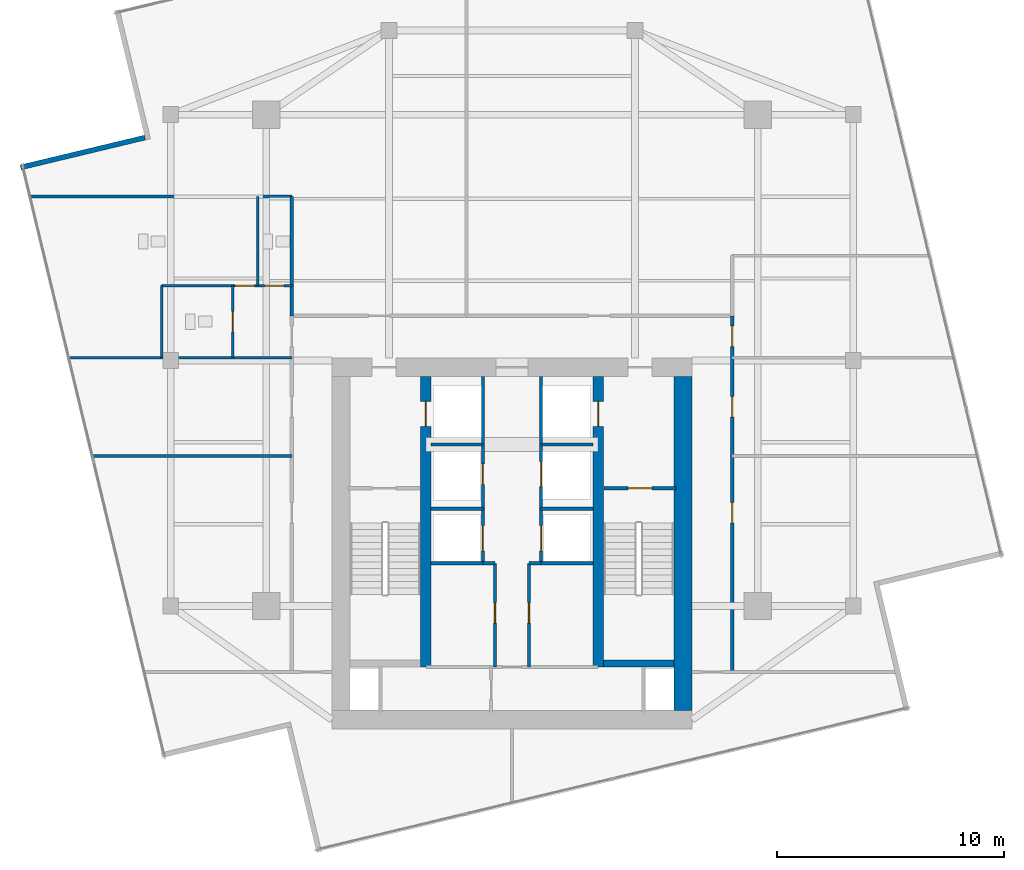
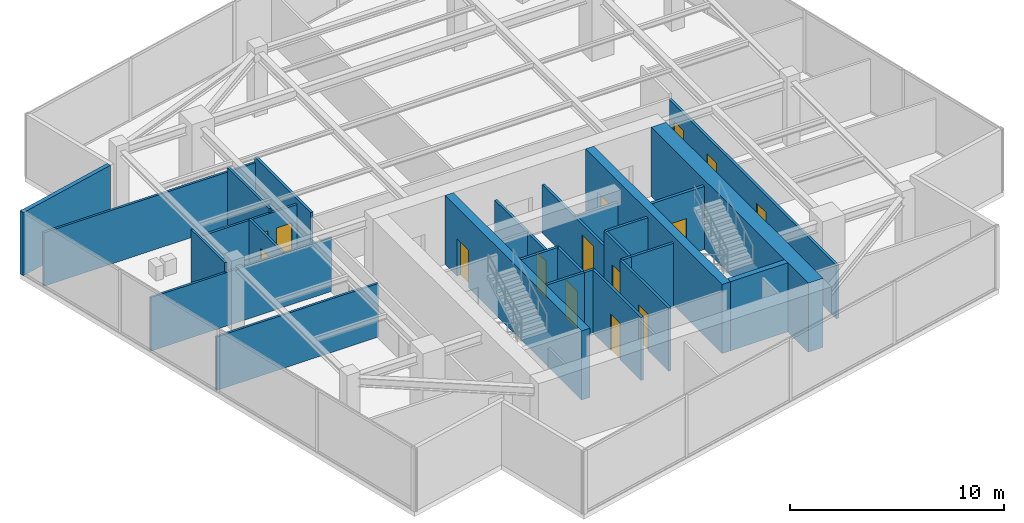
# One storey, part 19 of 22: 29 walls, 15 doors, 15 openings.
"""IFC4 building model written with IfcOpenShell, lengths in metres."""

from ifc_helpers import new_model, si_unit, direction, frame, frame_2d, origin, place, context, subcontext, project, spatial, rectangle, extrude, material, layer, layer_set, type_object, element, fill, save


model = new_model("IFC4")

# Units and contexts
model_context = context("Model", 3, precision=1e-05, world=origin(), true_north=direction((0.0, 1.0)))
body_context = subcontext(model_context, "Body", "Model", "MODEL_VIEW")
ifc_project = project(units=[si_unit("LENGTHUNIT", "METRE"), si_unit("AREAUNIT", "SQUARE_METRE"), si_unit("VOLUMEUNIT", "CUBIC_METRE"), si_unit("PLANEANGLEUNIT", "RADIAN"), si_unit("MASSUNIT", "GRAM", prefix="KILO")], contexts=[model_context])

# Site, building, storey
site_placement = place(None, origin())
site = spatial("IfcSite", under=ifc_project, at=site_placement, CompositionType="ELEMENT")
building_placement = place(site_placement, origin())
building = spatial("IfcBuilding", under=site, at=building_placement, Name="Krantzveldt Concourse Tower", CompositionType="ELEMENT")
storey_placement = place(building_placement, frame((0.0, 0.0, 359.300048828125)))
storey = spatial("IfcBuildingStorey", under=building, at=storey_placement, Name="L88", CompositionType="ELEMENT", Elevation=359.300048828125)

# Walls
ifc_material_1 = material(Name="Anodised aluminium 6063-T6", Category="aluminium")
ifc_layer_1 = layer(ifc_material_1, 0.219970703125, Name="Anodised aluminium 6063-T6", Category="aluminium")
ifc_layer_set_1 = layer_set([ifc_layer_1], Name="Anodised aluminium 6063-T6 (WL-EXT-NOTCH220)")
wall_type_1 = type_object("IfcWallType", Name="WL-EXT-NOTCH220", PredefinedType="ELEMENTEDWALL", material=ifc_layer_set_1)
wall_1_placement = place(storey_placement, frame((19.86767578125, 36.49462890625, 0.0), z_axis=(0.0, 0.0, 1.0), x_axis=(-0.972364840687, -0.233466521361, 0.0)))
element("IfcWall", 1, at=wall_1_placement, inside=storey, type_object=wall_type_1, Name="EW-L88-NCH03", PredefinedType="ELEMENTEDWALL", context=body_context, shape_type="SweptSolid", body=[
    extrude(rectangle(XDim=5.625, YDim=0.219970703125, at=frame_2d((2.8125, 0.0))), origin(), (0.0, 0.0, 1.0), 3.599853515625),
])
ifc_material_2 = material(Name="Fire-rated gypsum plasterboard on steel stud", Category="steel")
ifc_layer_2 = layer(ifc_material_2, 0.1201171875, Name="Fire-rated gypsum plasterboard on steel stud", Category="steel")
ifc_layer_set_2 = layer_set([ifc_layer_2], Name="Fire-rated gypsum plasterboard on steel stud (WL-PART-120)")
wall_type_2 = type_object("IfcWallType", Name="WL-PART-120", PredefinedType="PARTITIONING", material=ifc_layer_set_2)
wall_2_placement = place(storey_placement, frame((16.52392578125, 26.820068359375, 0.0), z_axis=(0.0, 0.0, 1.0), x_axis=(1.0, 0.0, 0.0)))
element("IfcWall", 2, at=wall_2_placement, inside=storey, type_object=wall_type_2, Name="WP-L88-WCBS", PredefinedType="PARTITIONING", context=body_context, shape_type="SweptSolid", body=[
    extrude(rectangle(XDim=9.796142578125, YDim=0.1201171875, at=frame_2d((4.89794921875, 0.0))), origin(), (0.0, 0.0, 1.0), 3.06005859375),
])
wall_3_placement = place(storey_placement, frame((14.82421875, 33.89990234375, 0.0), z_axis=(0.0, 0.0, 1.0), x_axis=(1.0, 0.0, 0.0)))
element("IfcWall", 3, at=wall_3_placement, inside=storey, type_object=wall_type_2, Name="WP-L88-WCBN", PredefinedType="PARTITIONING", context=body_context, shape_type="SweptSolid", body=[
    extrude(rectangle(XDim=11.495849609375, YDim=0.1201171875, at=frame_2d((5.748046875, 0.0))), origin(), (0.0, 0.0, 1.0), 3.06005859375),
])

# Wall, openings, doors
wall_4_placement = place(storey_placement, frame((20.60009765625, 29.97998046875, 0.0), z_axis=(0.0, 0.0, 1.0), x_axis=(1.0, 0.0, 0.0)))
wall_4 = element("IfcWall", 4, at=wall_4_placement, inside=storey, type_object=wall_type_2, Name="WP-L88-WCMH", PredefinedType="PARTITIONING", context=body_context, shape_type="SweptSolid", body=[
    extrude(rectangle(XDim=5.719970703125, YDim=0.1201171875, at=frame_2d((2.85986328125, 0.0))), origin(), (0.0, 0.0, 1.0), 3.06005859375),
])
opening_1_placement = place(wall_4_placement, frame((3.22509765625, 0.0, 0.0)))
opening_1 = element("IfcOpeningElement", 5, at=opening_1_placement, cuts=wall_4, Name="Opening D-IN085", PredefinedType="OPENING", context=body_context, shape_type="SweptSolid", body=[
    extrude(rectangle(XDim=0.85009765625, YDim=2.10009765625, at=frame_2d((0.425048828125, 1.050048828125))), frame((0.0, 0.070068359375, 0.0), z_axis=(0.0, -1.0, 0.0), x_axis=(1.0, 0.0, 0.0)), (0.0, 0.0, 1.0), 0.14013671875),
])
opening_2_placement = place(wall_4_placement, frame((4.52490234375, 0.0, 0.0)))
opening_2 = element("IfcOpeningElement", 6, at=opening_2_placement, cuts=wall_4, Name="Opening D-IN085", PredefinedType="OPENING", context=body_context, shape_type="SweptSolid", body=[
    extrude(rectangle(XDim=0.85009765625, YDim=2.10009765625, at=frame_2d((0.425048828125, 1.050048828125))), frame((0.0, 0.070068359375, 0.0), z_axis=(0.0, -1.0, 0.0), x_axis=(1.0, 0.0, 0.0)), (0.0, 0.0, 1.0), 0.14013671875),
])
ifc_material_3 = material(Name="Hardwood timber", Category="wood")
door_type_1 = type_object("IfcDoorType", Name="DR-INT-850", OperationType="SINGLE_SWING_LEFT", PredefinedType="DOOR", material=ifc_material_3)
door_1_placement = place(opening_1_placement, origin())
door_1 = element("IfcDoor", 7, at=door_1_placement, inside=storey, type_object=door_type_1, Name="DR-L88-WCM", OperationType="SINGLE_SWING_LEFT", OverallHeight=2.10009765625, OverallWidth=0.85009765625, PredefinedType="DOOR", context=body_context, shape_type="SweptSolid", body=[
    extrude(rectangle(XDim=0.85009765625, YDim=2.10009765625, at=frame_2d((0.425048828125, 1.050048828125))), frame((0.0, 0.02490234375, 0.0), z_axis=(0.0, -1.0, 0.0), x_axis=(1.0, 0.0, 0.0)), (0.0, 0.0, 1.0), 0.050048828125),
])
fill(opening_1, door_1)
door_2_placement = place(opening_2_placement, origin())
door_2 = element("IfcDoor", 8, at=door_2_placement, inside=storey, type_object=door_type_1, Name="DR-L88-WCF", OperationType="SINGLE_SWING_RIGHT", OverallHeight=2.10009765625, OverallWidth=0.85009765625, PredefinedType="DOOR", context=body_context, shape_type="SweptSolid", body=[
    extrude(rectangle(XDim=0.85009765625, YDim=2.10009765625, at=frame_2d((0.425048828125, 1.050048828125))), frame((0.0, 0.02490234375, 0.0), z_axis=(0.0, -1.0, 0.0), x_axis=(1.0, 0.0, 0.0)), (0.0, 0.0, 1.0), 0.050048828125),
])
fill(opening_2, door_2)

# Wall
wall_5_placement = place(storey_placement, frame((20.60009765625, 26.820068359375, 0.0), z_axis=(0.0, 0.0, 1.0), x_axis=(0.0, 1.0, 0.0)))
element("IfcWall", 9, at=wall_5_placement, inside=storey, type_object=wall_type_2, Name="WP-L88-WCAL", PredefinedType="PARTITIONING", context=body_context, shape_type="SweptSolid", body=[
    extrude(rectangle(XDim=3.159912109375, YDim=0.1201171875, at=frame_2d((1.580078125, 0.0))), origin(), (0.0, 0.0, 1.0), 3.599853515625),
])

# Wall, opening, door
wall_6_placement = place(storey_placement, frame((23.719970703125, 26.820068359375, 0.0), z_axis=(0.0, 0.0, 1.0), x_axis=(0.0, 1.0, 0.0)))
wall_6 = element("IfcWall", 10, at=wall_6_placement, inside=storey, type_object=wall_type_2, Name="WP-L88-WCAV", PredefinedType="PARTITIONING", context=body_context, shape_type="SweptSolid", body=[
    extrude(rectangle(XDim=3.159912109375, YDim=0.1201171875, at=frame_2d((1.580078125, 0.0))), origin(), (0.0, 0.0, 1.0), 3.10986328125),
])
opening_3_placement = place(wall_6_placement, frame((1.1298828125, 0.0, 0.0)))
opening_3 = element("IfcOpeningElement", 11, at=opening_3_placement, cuts=wall_6, Name="Opening D-IN090", PredefinedType="OPENING", context=body_context, shape_type="SweptSolid", body=[
    extrude(rectangle(XDim=0.89990234375, YDim=2.10009765625, at=frame_2d((0.449951171875, 1.050048828125))), frame((0.0, 0.070068359375, 0.0), z_axis=(0.0, -1.0, 0.0), x_axis=(1.0, 0.0, 0.0)), (0.0, 0.0, 1.0), 0.14013671875),
])
door_type_2 = type_object("IfcDoorType", Name="DR-INT-900", OperationType="SINGLE_SWING_LEFT", PredefinedType="DOOR", material=ifc_material_3)
door_3_placement = place(opening_3_placement, origin())
door_3 = element("IfcDoor", 12, at=door_3_placement, inside=storey, type_object=door_type_2, Name="DR-L88-WCA", OperationType="SINGLE_SWING_LEFT", OverallHeight=2.10009765625, OverallWidth=0.89990234375, PredefinedType="DOOR", context=body_context, shape_type="SweptSolid", body=[
    extrude(rectangle(XDim=0.89990234375, YDim=2.10009765625, at=frame_2d((0.449951171875, 1.050048828125))), frame((0.0, 0.02490234375, 0.0), z_axis=(0.0, -1.0, 0.0), x_axis=(1.0, 0.0, 0.0)), (0.0, 0.0, 1.0), 0.050048828125),
])
fill(opening_3, door_3)

# Walls
wall_7_placement = place(storey_placement, frame((24.820068359375, 29.97998046875, 0.0), z_axis=(0.0, 0.0, 1.0), x_axis=(0.0, 1.0, 0.0)))
element("IfcWall", 13, at=wall_7_placement, inside=storey, type_object=wall_type_2, Name="WP-L88-WCFD", PredefinedType="PARTITIONING", context=body_context, shape_type="SweptSolid", body=[
    extrude(rectangle(XDim=3.919921875, YDim=0.1201171875, at=frame_2d((1.9599609375, 0.0))), origin(), (0.0, 0.0, 1.0), 3.300048828125),
])
wall_8_placement = place(storey_placement, frame((17.56103515625, 22.5, 0.0), z_axis=(0.0, 0.0, 1.0), x_axis=(1.0, 0.0, 0.0)))
element("IfcWall", 14, at=wall_8_placement, inside=storey, type_object=wall_type_2, Name="WP-L88-WD1", PredefinedType="PARTITIONING", context=body_context, shape_type="SweptSolid", body=[
    extrude(rectangle(XDim=8.759033203125, YDim=0.1201171875, at=frame_2d((4.37939453125, 0.0))), origin(), (0.0, 0.0, 1.0), 3.06005859375),
])

# Wall, openings, doors
ifc_layer_3 = layer(ifc_material_2, 0.139892578125, Name="Fire-rated gypsum plasterboard on steel stud", Category="steel")
ifc_layer_set_3 = layer_set([ifc_layer_3], Name="Fire-rated gypsum plasterboard on steel stud (WL-PART-140)")
wall_type_3 = type_object("IfcWallType", Name="WL-PART-140", PredefinedType="PARTITIONING", material=ifc_layer_set_3)
wall_9_placement = place(storey_placement, frame((45.679931640625, 13.0, 0.0), z_axis=(0.0, 0.0, 1.0), x_axis=(0.0, 1.0, 0.0)))
wall_9 = element("IfcWall", 15, at=wall_9_placement, inside=storey, type_object=wall_type_3, Name="WP-L88-CEAST", PredefinedType="PARTITIONING", context=body_context, shape_type="SweptSolid", body=[
    extrude(rectangle(XDim=15.659912109375, YDim=0.139892578125, at=frame_2d((7.830078125, 0.0))), origin(), (0.0, 0.0, 1.0), 3.06005859375),
])
opening_4_placement = place(wall_9_placement, frame((14.300048828125, 0.0, 0.0)))
opening_4 = element("IfcOpeningElement", 16, at=opening_4_placement, cuts=wall_9, Name="Opening D-IN090", PredefinedType="OPENING", context=body_context, shape_type="SweptSolid", body=[
    extrude(rectangle(XDim=0.89990234375, YDim=2.10009765625, at=frame_2d((0.449951171875, 1.050048828125))), frame((0.0, 0.080078125, 0.0), z_axis=(0.0, -1.0, 0.0), x_axis=(1.0, 0.0, 0.0)), (0.0, 0.0, 1.0), 0.159912109375),
])
opening_5_placement = place(wall_9_placement, frame((6.550048828125, 0.0, 0.0)))
opening_5 = element("IfcOpeningElement", 17, at=opening_5_placement, cuts=wall_9, Name="Opening D-IN090", PredefinedType="OPENING", context=body_context, shape_type="SweptSolid", body=[
    extrude(rectangle(XDim=0.89990234375, YDim=2.10009765625, at=frame_2d((0.449951171875, 1.050048828125))), frame((0.0, 0.080078125, 0.0), z_axis=(0.0, -1.0, 0.0), x_axis=(1.0, 0.0, 0.0)), (0.0, 0.0, 1.0), 0.159912109375),
])
opening_6_placement = place(wall_9_placement, frame((11.2099609375, 0.0, 0.0)))
opening_6 = element("IfcOpeningElement", 18, at=opening_6_placement, cuts=wall_9, Name="Opening D-IN090", PredefinedType="OPENING", context=body_context, shape_type="SweptSolid", body=[
    extrude(rectangle(XDim=0.89990234375, YDim=2.10009765625, at=frame_2d((0.449951171875, 1.050048828125))), frame((0.0, 0.080078125, 0.0), z_axis=(0.0, -1.0, 0.0), x_axis=(1.0, 0.0, 0.0)), (0.0, 0.0, 1.0), 0.159912109375),
])
door_4_placement = place(opening_4_placement, origin())
door_4 = element("IfcDoor", 19, at=door_4_placement, inside=storey, type_object=door_type_2, Name="DR-L88-PNT", OperationType="SINGLE_SWING_RIGHT", OverallHeight=2.10009765625, OverallWidth=0.89990234375, PredefinedType="DOOR", context=body_context, shape_type="SweptSolid", body=[
    extrude(rectangle(XDim=0.89990234375, YDim=2.10009765625, at=frame_2d((0.449951171875, 1.050048828125))), frame((0.0, 0.02490234375, 0.0), z_axis=(0.0, -1.0, 0.0), x_axis=(1.0, 0.0, 0.0)), (0.0, 0.0, 1.0), 0.050048828125),
])
fill(opening_4, door_4)
door_5_placement = place(opening_5_placement, origin())
door_5 = element("IfcDoor", 20, at=door_5_placement, inside=storey, type_object=door_type_2, Name="DR-L88-ER1", OperationType="SINGLE_SWING_LEFT", OverallHeight=2.10009765625, OverallWidth=0.89990234375, PredefinedType="DOOR", context=body_context, shape_type="SweptSolid", body=[
    extrude(rectangle(XDim=0.89990234375, YDim=2.10009765625, at=frame_2d((0.449951171875, 1.050048828125))), frame((0.0, 0.02490234375, 0.0), z_axis=(0.0, -1.0, 0.0), x_axis=(1.0, 0.0, 0.0)), (0.0, 0.0, 1.0), 0.050048828125),
])
fill(opening_5, door_5)
door_6_placement = place(opening_6_placement, origin())
door_6 = element("IfcDoor", 21, at=door_6_placement, inside=storey, type_object=door_type_2, Name="DR-L88-ER2", OperationType="SINGLE_SWING_LEFT", OverallHeight=2.10009765625, OverallWidth=0.89990234375, PredefinedType="DOOR", context=body_context, shape_type="SweptSolid", body=[
    extrude(rectangle(XDim=0.89990234375, YDim=2.10009765625, at=frame_2d((0.449951171875, 1.050048828125))), frame((0.0, 0.02490234375, 0.0), z_axis=(0.0, -1.0, 0.0), x_axis=(1.0, 0.0, 0.0)), (0.0, 0.0, 1.0), 0.050048828125),
])
fill(opening_6, door_6)

# Wall
wall_10_placement = place(storey_placement, frame((26.320068359375, 28.659912109375, 0.0), z_axis=(0.0, 0.0, 1.0), x_axis=(0.0, 1.0, 0.0)))
element("IfcWall", 22, at=wall_10_placement, inside=storey, type_object=wall_type_3, Name="WP-L88-NWL", PredefinedType="PARTITIONING", context=body_context, shape_type="SweptSolid", body=[
    extrude(rectangle(XDim=5.239990234375, YDim=0.139892578125, at=frame_2d((2.6201171875, 0.0))), origin(), (0.0, 0.0, 1.0), 3.35986328125),
])

# Wall, opening, door
ifc_layer_4 = layer(ifc_material_2, 0.139892578125, Name="Fire-rated gypsum plasterboard on steel stud", Category="steel")
ifc_layer_set_4 = layer_set([ifc_layer_4], Name="Fire-rated gypsum plasterboard on steel stud (WL-PART-FR140)")
wall_type_4 = type_object("IfcWallType", Name="WL-PART-FR140", PredefinedType="PARTITIONING", material=ifc_layer_set_4)
wall_11_placement = place(storey_placement, frame((34.719970703125, 20.199951171875, 0.0), z_axis=(0.0, 0.0, 1.0), x_axis=(0.0, 1.0, 0.0)))
wall_11 = element("IfcWall", 23, at=wall_11_placement, inside=storey, type_object=wall_type_4, Name="WP-L88-SHNW", PredefinedType="PARTITIONING", context=body_context, shape_type="SweptSolid", body=[
    extrude(rectangle(XDim=5.780029296875, YDim=0.139892578125, at=frame_2d((2.89013671875, 0.0))), origin(), (0.0, 0.0, 1.0), 2.75),
])
opening_7_placement = place(wall_11_placement, frame((1.050048828125, 0.0, 0.0)))
opening_7 = element("IfcOpeningElement", 24, at=opening_7_placement, cuts=wall_11, Name="Opening D-FD090", PredefinedType="OPENING", context=body_context, shape_type="SweptSolid", body=[
    extrude(rectangle(XDim=0.89990234375, YDim=2.10009765625, at=frame_2d((0.449951171875, 1.050048828125))), frame((0.0, 0.080078125, 0.0), z_axis=(0.0, -1.0, 0.0), x_axis=(1.0, 0.0, 0.0)), (0.0, 0.0, 1.0), 0.159912109375),
])
door_type_3 = type_object("IfcDoorType", Name="DR-FD60-900", OperationType="SINGLE_SWING_LEFT", PredefinedType="DOOR", material=ifc_material_3)
door_7_placement = place(opening_7_placement, origin())
door_7 = element("IfcDoor", 25, at=door_7_placement, inside=storey, type_object=door_type_3, Name="Electrical Riser Access Door L88", OperationType="SINGLE_SWING_LEFT", OverallHeight=2.10009765625, OverallWidth=0.89990234375, PredefinedType="DOOR", context=body_context, shape_type="SweptSolid", body=[
    extrude(rectangle(XDim=0.89990234375, YDim=2.10009765625, at=frame_2d((0.449951171875, 1.050048828125))), frame((0.0, 0.02490234375, 0.0), z_axis=(0.0, -1.0, 0.0), x_axis=(1.0, 0.0, 0.0)), (0.0, 0.0, 1.0), 0.050048828125),
])
fill(opening_7, door_7)

wall_12_placement = place(storey_placement, frame((37.280029296875, 20.199951171875, 0.0), z_axis=(0.0, 0.0, 1.0), x_axis=(0.0, 1.0, 0.0)))
wall_12 = element("IfcWall", 26, at=wall_12_placement, inside=storey, type_object=wall_type_4, Name="WP-L88-SHNE", PredefinedType="PARTITIONING", context=body_context, shape_type="SweptSolid", body=[
    extrude(rectangle(XDim=5.780029296875, YDim=0.139892578125, at=frame_2d((2.89013671875, 0.0))), origin(), (0.0, 0.0, 1.0), 2.75),
])
opening_8_placement = place(wall_12_placement, frame((0.949951171875, 0.0, 0.0)))
opening_8 = element("IfcOpeningElement", 27, at=opening_8_placement, cuts=wall_12, Name="Opening LD", PredefinedType="OPENING", context=body_context, shape_type="SweptSolid", body=[
    extrude(rectangle(XDim=1.10009765625, YDim=2.14990234375, at=frame_2d((0.550048828125, 1.074951171875))), frame((0.0, 0.080078125, 0.0), z_axis=(0.0, -1.0, 0.0), x_axis=(1.0, 0.0, 0.0)), (0.0, 0.0, 1.0), 0.159912109375),
])
ifc_material_4 = material(Name="Stainless steel 316L", Category="steel")
door_type_4 = type_object("IfcDoorType", Name="DR-SLIDE-LD1100", OperationType="DOUBLE_DOOR_SLIDING", PredefinedType="DOOR", material=ifc_material_4)
door_8_placement = place(opening_8_placement, origin())
door_8 = element("IfcDoor", 28, at=door_8_placement, inside=storey, type_object=door_type_4, Name="LD-L88-GL1", OperationType="DOUBLE_DOOR_SLIDING", OverallHeight=2.14990234375, OverallWidth=1.10009765625, PredefinedType="DOOR", context=body_context, shape_type="SweptSolid", body=[
    extrude(rectangle(XDim=1.10009765625, YDim=2.14990234375, at=frame_2d((0.550048828125, 1.074951171875))), frame((0.0, 0.02490234375, 0.0), z_axis=(0.0, -1.0, 0.0), x_axis=(1.0, 0.0, 0.0)), (0.0, 0.0, 1.0), 0.050048828125),
])
fill(opening_8, door_8)

# Walls
for number, where, z_axis, x_axis, name in (
    (29, (32.449951171875, 23.0, 0.0), (0.0, 0.0, 1.0), (1.0, 0.0, 0.0), "WP-L88-RISH"),
    (30, (37.280029296875, 23.0, 0.0), (0.0, 0.0, 1.0), (1.0, 0.0, 0.0), "WP-L88-GLH"),
):
    element("IfcWall", number, at=place(storey_placement, frame(where, z_axis=z_axis, x_axis=x_axis)), inside=storey, type_object=wall_type_4, Name=name, PredefinedType="PARTITIONING", context=body_context, shape_type="SweptSolid", body=[
        extrude(rectangle(XDim=2.27001953125, YDim=0.139892578125, at=frame_2d((1.135009765625, 0.0))), origin(), (0.0, 0.0, 1.0), 2.75),
    ])

# Wall, opening, door
wall_13_placement = place(storey_placement, frame((34.719970703125, 17.780029296875, 0.0), z_axis=(0.0, 0.0, 1.0), x_axis=(0.0, 1.0, 0.0)))
wall_13 = element("IfcWall", 31, at=wall_13_placement, inside=storey, type_object=wall_type_4, Name="WP-L88-SHNW2", PredefinedType="PARTITIONING", context=body_context, shape_type="SweptSolid", body=[
    extrude(rectangle(XDim=2.419921875, YDim=0.139892578125, at=frame_2d((1.2099609375, 0.0))), origin(), (0.0, 0.0, 1.0), 3.599853515625),
])
opening_9_placement = place(wall_13_placement, frame((0.550048828125, 0.0, 0.0)))
opening_9 = element("IfcOpeningElement", 32, at=opening_9_placement, cuts=wall_13, Name="Opening LD", PredefinedType="OPENING", context=body_context, shape_type="SweptSolid", body=[
    extrude(rectangle(XDim=1.10009765625, YDim=2.14990234375, at=frame_2d((0.550048828125, 1.074951171875))), frame((0.0, 0.080078125, 0.0), z_axis=(0.0, -1.0, 0.0), x_axis=(1.0, 0.0, 0.0)), (0.0, 0.0, 1.0), 0.159912109375),
])
door_9_placement = place(opening_9_placement, origin())
door_9 = element("IfcDoor", 33, at=door_9_placement, inside=storey, type_object=door_type_4, Name="LD-L88-PH1", OperationType="DOUBLE_DOOR_SLIDING", OverallHeight=2.14990234375, OverallWidth=1.10009765625, PredefinedType="DOOR", context=body_context, shape_type="SweptSolid", body=[
    extrude(rectangle(XDim=1.10009765625, YDim=2.14990234375, at=frame_2d((0.550048828125, 1.074951171875))), frame((0.0, 0.02490234375, 0.0), z_axis=(0.0, -1.0, 0.0), x_axis=(1.0, 0.0, 0.0)), (0.0, 0.0, 1.0), 0.050048828125),
])
fill(opening_9, door_9)

wall_14_placement = place(storey_placement, frame((37.280029296875, 17.780029296875, 0.0), z_axis=(0.0, 0.0, 1.0), x_axis=(0.0, 1.0, 0.0)))
wall_14 = element("IfcWall", 34, at=wall_14_placement, inside=storey, type_object=wall_type_4, Name="WP-L88-SHNE2", PredefinedType="PARTITIONING", context=body_context, shape_type="SweptSolid", body=[
    extrude(rectangle(XDim=2.419921875, YDim=0.139892578125, at=frame_2d((1.2099609375, 0.0))), origin(), (0.0, 0.0, 1.0), 3.599853515625),
])
opening_10_placement = place(wall_14_placement, frame((0.550048828125, 0.0, 0.0)))
opening_10 = element("IfcOpeningElement", 35, at=opening_10_placement, cuts=wall_14, Name="Opening LD", PredefinedType="OPENING", context=body_context, shape_type="SweptSolid", body=[
    extrude(rectangle(XDim=1.10009765625, YDim=2.14990234375, at=frame_2d((0.550048828125, 1.074951171875))), frame((0.0, 0.080078125, 0.0), z_axis=(0.0, -1.0, 0.0), x_axis=(1.0, 0.0, 0.0)), (0.0, 0.0, 1.0), 0.159912109375),
])
door_10_placement = place(opening_10_placement, origin())
door_10 = element("IfcDoor", 36, at=door_10_placement, inside=storey, type_object=door_type_4, Name="LD-L88-PH2", OperationType="DOUBLE_DOOR_SLIDING", OverallHeight=2.14990234375, OverallWidth=1.10009765625, PredefinedType="DOOR", context=body_context, shape_type="SweptSolid", body=[
    extrude(rectangle(XDim=1.10009765625, YDim=2.14990234375, at=frame_2d((0.550048828125, 1.074951171875))), frame((0.0, 0.02490234375, 0.0), z_axis=(0.0, -1.0, 0.0), x_axis=(1.0, 0.0, 0.0)), (0.0, 0.0, 1.0), 0.050048828125),
])
fill(opening_10, door_10)

# Walls
for number, where, z_axis, x_axis, name in (
    (37, (32.449951171875, 17.780029296875, 0.0), (0.0, 0.0, 1.0), (1.0, 0.0, 0.0), "WP-L88-DIVW2"),
    (38, (32.449951171875, 20.179931640625, 0.0), (0.0, 0.0, 1.0), (1.0, 0.0, 0.0), "WP-L88-DIVW3"),
    (39, (37.280029296875, 17.780029296875, 0.0), (0.0, 0.0, 1.0), (1.0, 0.0, 0.0), "WP-L88-DIVE2"),
    (40, (37.280029296875, 20.179931640625, 0.0), (0.0, 0.0, 1.0), (1.0, 0.0, 0.0), "WP-L88-DIVE3"),
):
    element("IfcWall", number, at=place(storey_placement, frame(where, z_axis=z_axis, x_axis=x_axis)), inside=storey, type_object=wall_type_4, Name=name, PredefinedType="PARTITIONING", context=body_context, shape_type="SweptSolid", body=[
        extrude(rectangle(XDim=2.27001953125, YDim=0.139892578125, at=frame_2d((1.135009765625, 0.0))), origin(), (0.0, 0.0, 1.0), 3.599853515625),
    ])

# Wall, opening, door
wall_15_placement = place(storey_placement, frame((35.25, 13.219970703125, 0.0), z_axis=(0.0, 0.0, 1.0), x_axis=(0.0, 1.0, 0.0)))
wall_15 = element("IfcWall", 41, at=wall_15_placement, inside=storey, type_object=wall_type_4, Name="WP-L88-RECW", PredefinedType="PARTITIONING", context=body_context, shape_type="SweptSolid", body=[
    extrude(rectangle(XDim=4.56005859375, YDim=0.139892578125, at=frame_2d((2.280029296875, 0.0))), origin(), (0.0, 0.0, 1.0), 3.599853515625),
])
opening_11_placement = place(wall_15_placement, frame((1.929931640625, 0.0, 0.0)))
opening_11 = element("IfcOpeningElement", 42, at=opening_11_placement, cuts=wall_15, Name="Opening D-FD090", PredefinedType="OPENING", context=body_context, shape_type="SweptSolid", body=[
    extrude(rectangle(XDim=0.89990234375, YDim=2.10009765625, at=frame_2d((0.449951171875, 1.050048828125))), frame((0.0, 0.080078125, 0.0), z_axis=(0.0, -1.0, 0.0), x_axis=(1.0, 0.0, 0.0)), (0.0, 0.0, 1.0), 0.159912109375),
])
door_11_placement = place(opening_11_placement, origin())
door_11 = element("IfcDoor", 43, at=door_11_placement, inside=storey, type_object=door_type_3, Name="DR-L88-RECW", OperationType="SINGLE_SWING_LEFT", OverallHeight=2.10009765625, OverallWidth=0.89990234375, PredefinedType="DOOR", context=body_context, shape_type="SweptSolid", body=[
    extrude(rectangle(XDim=0.89990234375, YDim=2.10009765625, at=frame_2d((0.449951171875, 1.050048828125))), frame((0.0, 0.02490234375, 0.0), z_axis=(0.0, -1.0, 0.0), x_axis=(1.0, 0.0, 0.0)), (0.0, 0.0, 1.0), 0.050048828125),
])
fill(opening_11, door_11)

# Wall
wall_16_placement = place(storey_placement, frame((34.719970703125, 17.780029296875, 0.0), z_axis=(0.0, 0.0, 1.0), x_axis=(1.0, 0.0, 0.0)))
element("IfcWall", 44, at=wall_16_placement, inside=storey, type_object=wall_type_4, Name="WP-L88-RECWN", PredefinedType="PARTITIONING", context=body_context, shape_type="SweptSolid", body=[
    extrude(rectangle(XDim=0.530029296875, YDim=0.139892578125, at=frame_2d((0.26513671875, 0.0))), origin(), (0.0, 0.0, 1.0), 3.599853515625),
])

# Wall, opening, door
wall_17_placement = place(storey_placement, frame((36.75, 13.219970703125, 0.0), z_axis=(0.0, 0.0, 1.0), x_axis=(0.0, 1.0, 0.0)))
wall_17 = element("IfcWall", 45, at=wall_17_placement, inside=storey, type_object=wall_type_4, Name="WP-L88-RECE", PredefinedType="PARTITIONING", context=body_context, shape_type="SweptSolid", body=[
    extrude(rectangle(XDim=4.56005859375, YDim=0.139892578125, at=frame_2d((2.280029296875, 0.0))), origin(), (0.0, 0.0, 1.0), 3.599853515625),
])
opening_12_placement = place(wall_17_placement, frame((1.929931640625, 0.0, 0.0)))
opening_12 = element("IfcOpeningElement", 46, at=opening_12_placement, cuts=wall_17, Name="Opening D-FD090", PredefinedType="OPENING", context=body_context, shape_type="SweptSolid", body=[
    extrude(rectangle(XDim=0.89990234375, YDim=2.10009765625, at=frame_2d((0.449951171875, 1.050048828125))), frame((0.0, 0.080078125, 0.0), z_axis=(0.0, -1.0, 0.0), x_axis=(1.0, 0.0, 0.0)), (0.0, 0.0, 1.0), 0.159912109375),
])
door_12_placement = place(opening_12_placement, origin())
door_12 = element("IfcDoor", 47, at=door_12_placement, inside=storey, type_object=door_type_3, Name="DR-L88-RECE", OperationType="SINGLE_SWING_RIGHT", OverallHeight=2.10009765625, OverallWidth=0.89990234375, PredefinedType="DOOR", context=body_context, shape_type="SweptSolid", body=[
    extrude(rectangle(XDim=0.89990234375, YDim=2.10009765625, at=frame_2d((0.449951171875, 1.050048828125))), frame((0.0, 0.02490234375, 0.0), z_axis=(0.0, -1.0, 0.0), x_axis=(1.0, 0.0, 0.0)), (0.0, 0.0, 1.0), 0.050048828125),
])
fill(opening_12, door_12)

# Wall
wall_18_placement = place(storey_placement, frame((36.75, 17.780029296875, 0.0), z_axis=(0.0, 0.0, 1.0), x_axis=(1.0, 0.0, 0.0)))
element("IfcWall", 48, at=wall_18_placement, inside=storey, type_object=wall_type_4, Name="WP-L88-RECEN", PredefinedType="PARTITIONING", context=body_context, shape_type="SweptSolid", body=[
    extrude(rectangle(XDim=0.530029296875, YDim=0.139892578125, at=frame_2d((0.26513671875, 0.0))), origin(), (0.0, 0.0, 1.0), 3.599853515625),
])

# Wall, opening, door
ifc_layer_5 = layer(ifc_material_2, 0.159912109375, Name="Fire-rated gypsum plasterboard on steel stud", Category="steel")
ifc_layer_set_5 = layer_set([ifc_layer_5], Name="Fire-rated gypsum plasterboard on steel stud (WL-PART-FR160)")
wall_type_5 = type_object("IfcWallType", Name="WL-PART-FR160", PredefinedType="PARTITIONING", material=ifc_layer_set_5)
wall_19_placement = place(storey_placement, frame((40.0400390625, 21.080078125, 0.0), z_axis=(0.0, 0.0, 1.0), x_axis=(1.0, 0.0, 0.0)))
wall_19 = element("IfcWall", 49, at=wall_19_placement, inside=storey, type_object=wall_type_5, Name="WP-L88-ST2", PredefinedType="PARTITIONING", context=body_context, shape_type="SweptSolid", body=[
    extrude(rectangle(XDim=3.159912109375, YDim=0.159912109375, at=frame_2d((1.580078125, 0.0))), origin(), (0.0, 0.0, 1.0), 3.599853515625),
])
opening_13_placement = place(wall_19_placement, frame((1.054931640625, 0.0, 0.0)))
opening_13 = element("IfcOpeningElement", 50, at=opening_13_placement, cuts=wall_19, Name="Opening D-FD105", PredefinedType="OPENING", context=body_context, shape_type="SweptSolid", body=[
    extrude(rectangle(XDim=1.050048828125, YDim=2.10009765625, at=frame_2d((0.52490234375, 1.050048828125))), frame((0.0, 0.08984375, 0.0), z_axis=(0.0, -1.0, 0.0), x_axis=(1.0, 0.0, 0.0)), (0.0, 0.0, 1.0), 0.179931640625),
])
ifc_material_5 = material(Name="Galvanised steel", Category="steel")
door_type_5 = type_object("IfcDoorType", Name="DR-FD120-1050", OperationType="SINGLE_SWING_LEFT", PredefinedType="DOOR", material=ifc_material_5)
door_13_placement = place(opening_13_placement, origin())
door_13 = element("IfcDoor", 51, at=door_13_placement, inside=storey, type_object=door_type_5, Name="DR-L88-ST2", OperationType="SINGLE_SWING_LEFT", OverallHeight=2.10009765625, OverallWidth=1.050048828125, PredefinedType="DOOR", context=body_context, shape_type="SweptSolid", body=[
    extrude(rectangle(XDim=1.050048828125, YDim=2.10009765625, at=frame_2d((0.52490234375, 1.050048828125))), frame((0.0, 0.02490234375, 0.0), z_axis=(0.0, -1.0, 0.0), x_axis=(1.0, 0.0, 0.0)), (0.0, 0.0, 1.0), 0.050048828125),
])
fill(opening_13, door_13)

# Wall
ifc_material_6 = material(Name="Concrete C50/60", Category="concrete")
ifc_layer_6 = layer(ifc_material_6, 0.300048828125, Name="Concrete C50/60", Category="concrete")
ifc_layer_set_6 = layer_set([ifc_layer_6], Name="Concrete C50/60 (WL-SHEAR-300)")
wall_type_6 = type_object("IfcWallType", Name="WL-SHEAR-300", PredefinedType="SHEAR", material=ifc_layer_set_6)
wall_20_placement = place(storey_placement, frame((40.02001953125, 13.3701171875, 0.0), z_axis=(0.0, 0.0, 1.0), x_axis=(1.0, 0.0, 0.0)))
element("IfcWall", 52, at=wall_20_placement, inside=storey, type_object=wall_type_6, Name="CW-L88-ST2S", PredefinedType="SHEAR", context=body_context, shape_type="SweptSolid", body=[
    extrude(rectangle(XDim=3.10009765625, YDim=0.300048828125, at=frame_2d((1.550048828125, 0.0))), origin(), (0.0, 0.0, 1.0), 3.949951171875),
])

# Wall, opening, door
ifc_layer_7 = layer(ifc_material_6, 0.449951171875, Name="Concrete C50/60", Category="concrete")
ifc_layer_set_7 = layer_set([ifc_layer_7], Name="Concrete C50/60 (WL-SHEAR-450)")
wall_type_7 = type_object("IfcWallType", Name="WL-SHEAR-450", PredefinedType="SHEAR", material=ifc_layer_set_7)
wall_21_placement = place(storey_placement, frame((32.205078125, 13.219970703125, 0.0), z_axis=(0.0, 0.0, 1.0), x_axis=(0.0, 1.0, 0.0)))
wall_21 = element("IfcWall", 53, at=wall_21_placement, inside=storey, type_object=wall_type_7, Name="CW-L88-IW", PredefinedType="SHEAR", context=body_context, shape_type="SweptSolid", body=[
    extrude(rectangle(XDim=12.780029296875, YDim=0.449951171875, at=frame_2d((6.39013671875, 0.0))), origin(), (0.0, 0.0, 1.0), 3.949951171875),
])
opening_14_placement = place(wall_21_placement, frame((10.580078125, 0.0, 0.0)))
opening_14 = element("IfcOpeningElement", 54, at=opening_14_placement, cuts=wall_21, Name="Opening LD", PredefinedType="OPENING", context=body_context, shape_type="SweptSolid", body=[
    extrude(rectangle(XDim=1.10009765625, YDim=2.14990234375, at=frame_2d((0.550048828125, 1.074951171875))), frame((0.0, 0.23486328125, 0.0), z_axis=(0.0, -1.0, 0.0), x_axis=(1.0, 0.0, 0.0)), (0.0, 0.0, 1.0), 0.469970703125),
])
door_14_placement = place(opening_14_placement, origin())
door_14 = element("IfcDoor", 55, at=door_14_placement, inside=storey, type_object=door_type_4, Name="LD-L88-FL1", OperationType="DOUBLE_DOOR_SLIDING", OverallHeight=2.14990234375, OverallWidth=1.10009765625, PredefinedType="DOOR", context=body_context, shape_type="SweptSolid", body=[
    extrude(rectangle(XDim=1.10009765625, YDim=2.14990234375, at=frame_2d((0.550048828125, 1.074951171875))), frame((0.0, 0.02490234375, 0.0), z_axis=(0.0, -1.0, 0.0), x_axis=(1.0, 0.0, 0.0)), (0.0, 0.0, 1.0), 0.050048828125),
])
fill(opening_14, door_14)

wall_22_placement = place(storey_placement, frame((39.794921875, 13.219970703125, 0.0), z_axis=(0.0, 0.0, 1.0), x_axis=(0.0, 1.0, 0.0)))
wall_22 = element("IfcWall", 56, at=wall_22_placement, inside=storey, type_object=wall_type_7, Name="CW-L88-IE", PredefinedType="SHEAR", context=body_context, shape_type="SweptSolid", body=[
    extrude(rectangle(XDim=12.780029296875, YDim=0.449951171875, at=frame_2d((6.39013671875, 0.0))), origin(), (0.0, 0.0, 1.0), 3.949951171875),
])
opening_15_placement = place(wall_22_placement, frame((10.580078125, 0.0, 0.0)))
opening_15 = element("IfcOpeningElement", 57, at=opening_15_placement, cuts=wall_22, Name="Opening LD", PredefinedType="OPENING", context=body_context, shape_type="SweptSolid", body=[
    extrude(rectangle(XDim=1.10009765625, YDim=2.14990234375, at=frame_2d((0.550048828125, 1.074951171875))), frame((0.0, 0.23486328125, 0.0), z_axis=(0.0, -1.0, 0.0), x_axis=(1.0, 0.0, 0.0)), (0.0, 0.0, 1.0), 0.469970703125),
])
door_15_placement = place(opening_15_placement, origin())
door_15 = element("IfcDoor", 58, at=door_15_placement, inside=storey, type_object=door_type_4, Name="LD-L88-FL2", OperationType="DOUBLE_DOOR_SLIDING", OverallHeight=2.14990234375, OverallWidth=1.10009765625, PredefinedType="DOOR", context=body_context, shape_type="SweptSolid", body=[
    extrude(rectangle(XDim=1.10009765625, YDim=2.14990234375, at=frame_2d((0.550048828125, 1.074951171875))), frame((0.0, 0.02490234375, 0.0), z_axis=(0.0, -1.0, 0.0), x_axis=(1.0, 0.0, 0.0)), (0.0, 0.0, 1.0), 0.050048828125),
])
fill(opening_15, door_15)

# Wall
ifc_material_7 = material(Name="Concrete C60/75", Category="concrete")
ifc_layer_8 = layer(ifc_material_7, 0.800048828125, Name="Concrete C60/75", Category="concrete")
ifc_layer_set_8 = layer_set([ifc_layer_8], Name="Concrete C60/75 (WL-SHEAR-800)")
wall_type_8 = type_object("IfcWallType", Name="WL-SHEAR-800", PredefinedType="SHEAR", material=ifc_layer_set_8)
wall_23_placement = place(storey_placement, frame((43.52001953125, 11.300048828125, 0.0), z_axis=(0.0, 0.0, 1.0), x_axis=(0.0, 1.0, 0.0)))
element("IfcWall", 59, at=wall_23_placement, inside=storey, type_object=wall_type_8, Name="CW-L88-E", PredefinedType="SHEAR", context=body_context, shape_type="SweptSolid", body=[
    extrude(rectangle(XDim=14.699951171875, YDim=0.800048828125, at=frame_2d((7.35009765625, 0.0))), origin(), (0.0, 0.0, 1.0), 3.949951171875),
])

save(model, "model.ifc")
